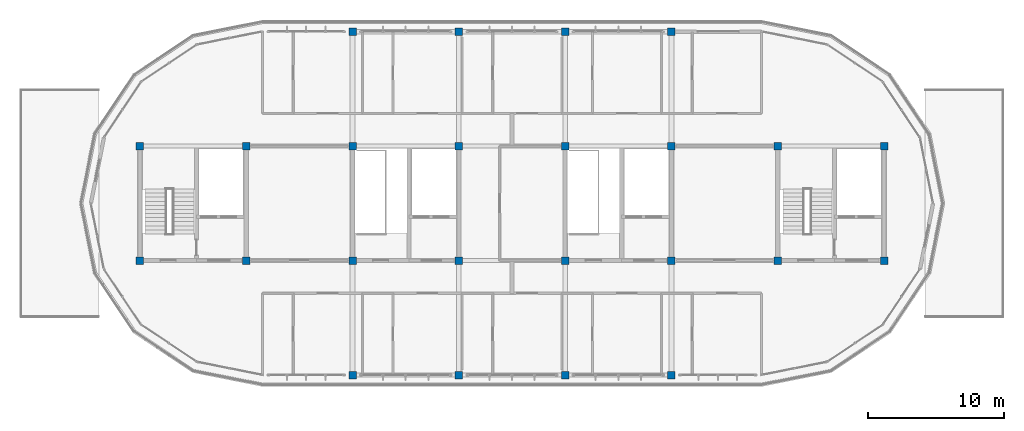
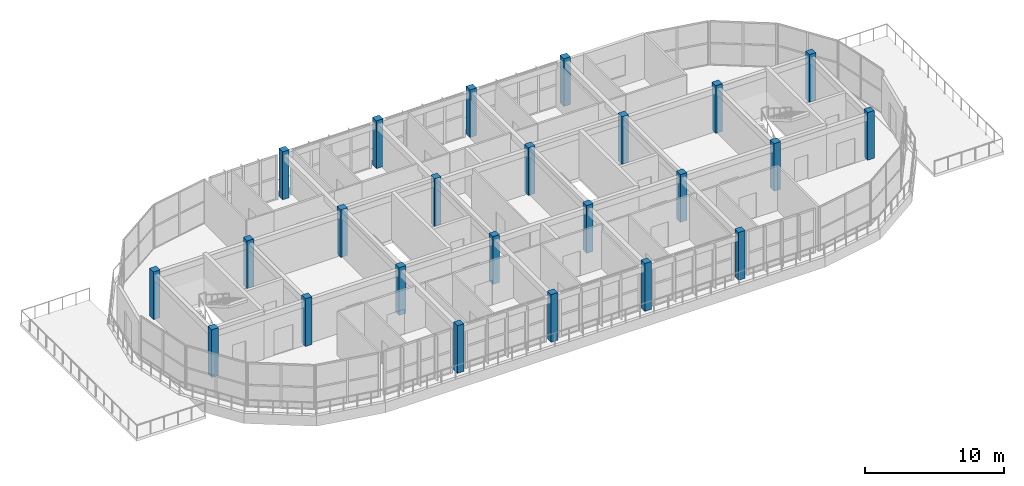
# One storey, part 1 of 33: 24 columns.
"""IFC4 building model written with IfcOpenShell, lengths in metres."""

from ifc_helpers import new_model, si_unit, direction, frame, origin, origin_2d, place, context, subcontext, project, spatial, rectangle, extrude, material, material_profile, profile_set, type_object, element, save


model = new_model("IFC4")

# Units and contexts
model_context = context("Model", 3, precision=1e-05, world=origin(), true_north=direction((0.0, 1.0)))
body_context = subcontext(model_context, "Body", "Model", "MODEL_VIEW")
ifc_project = project(units=[si_unit("LENGTHUNIT", "METRE"), si_unit("AREAUNIT", "SQUARE_METRE"), si_unit("VOLUMEUNIT", "CUBIC_METRE"), si_unit("PLANEANGLEUNIT", "RADIAN"), si_unit("MASSUNIT", "GRAM", prefix="KILO")], contexts=[model_context])

# Site, building, storey
site_placement = place(None, origin())
site = spatial("IfcSite", under=ifc_project, at=site_placement, CompositionType="ELEMENT")
building_placement = place(site_placement, origin())
building = spatial("IfcBuilding", under=site, at=building_placement, Name="Zizhar Promenade General Hospital", CompositionType="ELEMENT")
storey_placement = place(building_placement, frame((0.0, 0.0, 39.0)))
storey = spatial("IfcBuildingStorey", under=building, at=storey_placement, Name="L09", CompositionType="ELEMENT", Elevation=39.0)

# Columns
ifc_material = material(Name="Concrete C40/50", Category="concrete")
ifc_material_profile = material_profile(ifc_material, rectangle(XDim=0.550048828125, YDim=0.550048828125, at=origin_2d()))
ifc_profile_set = profile_set([ifc_material_profile], Name="Concrete C40/50")
column_type = type_object("IfcColumnType", Name="COL-RC-550", PredefinedType="COLUMN", material=ifc_profile_set)
for number, where, z_axis, x_axis, name in (
    (1, (46.800048828125, 8.39990234375, 0.0), (0.0, 0.0, 1.0), (1.0, 0.0, 0.0), "Column 7-B (L09)"),
    (2, (46.800048828125, 16.800048828125, 0.0), (0.0, 0.0, 1.0), (1.0, 0.0, 0.0), "Column 7-C (L09)"),
    (3, (54.60009765625, 8.39990234375, 0.0), (0.0, 0.0, 1.0), (1.0, 0.0, 0.0), "Column 8-B (L09)"),
    (4, (54.60009765625, 16.800048828125, 0.0), (0.0, 0.0, 1.0), (1.0, 0.0, 0.0), "Column 8-C (L09)"),
    (5, (62.39990234375, 0.0, 0.0), (0.0, 0.0, 1.0), (1.0, 0.0, 0.0), "Column 9-A (L09)"),
    (6, (62.39990234375, 8.39990234375, 0.0), (0.0, 0.0, 1.0), (1.0, 0.0, 0.0), "Column 9-B (L09)"),
    (7, (62.39990234375, 16.800048828125, 0.0), (0.0, 0.0, 1.0), (1.0, 0.0, 0.0), "Column 9-C (L09)"),
    (8, (62.39990234375, 25.199951171875, 0.0), (0.0, 0.0, 1.0), (1.0, 0.0, 0.0), "Column 9-D (L09)"),
    (9, (70.199951171875, 0.0, 0.0), (0.0, 0.0, 1.0), (1.0, 0.0, 0.0), "Column 10-A (L09)"),
    (10, (70.199951171875, 8.39990234375, 0.0), (0.0, 0.0, 1.0), (1.0, 0.0, 0.0), "Column 10-B (L09)"),
    (11, (70.199951171875, 16.800048828125, 0.0), (0.0, 0.0, 1.0), (1.0, 0.0, 0.0), "Column 10-C (L09)"),
    (12, (70.199951171875, 25.199951171875, 0.0), (0.0, 0.0, 1.0), (1.0, 0.0, 0.0), "Column 10-D (L09)"),
    (13, (78.0, 0.0, 0.0), (0.0, 0.0, 1.0), (1.0, 0.0, 0.0), "Column 11-A (L09)"),
    (14, (78.0, 8.39990234375, 0.0), (0.0, 0.0, 1.0), (1.0, 0.0, 0.0), "Column 11-B (L09)"),
    (15, (78.0, 16.800048828125, 0.0), (0.0, 0.0, 1.0), (1.0, 0.0, 0.0), "Column 11-C (L09)"),
    (16, (78.0, 25.199951171875, 0.0), (0.0, 0.0, 1.0), (1.0, 0.0, 0.0), "Column 11-D (L09)"),
    (17, (85.800048828125, 0.0, 0.0), (0.0, 0.0, 1.0), (1.0, 0.0, 0.0), "Column 12-A (L09)"),
    (18, (85.800048828125, 8.39990234375, 0.0), (0.0, 0.0, 1.0), (1.0, 0.0, 0.0), "Column 12-B (L09)"),
    (19, (85.800048828125, 16.800048828125, 0.0), (0.0, 0.0, 1.0), (1.0, 0.0, 0.0), "Column 12-C (L09)"),
    (20, (85.800048828125, 25.199951171875, 0.0), (0.0, 0.0, 1.0), (1.0, 0.0, 0.0), "Column 12-D (L09)"),
    (21, (93.60009765625, 8.39990234375, 0.0), (0.0, 0.0, 1.0), (1.0, 0.0, 0.0), "Column 13-B (L09)"),
    (22, (93.60009765625, 16.800048828125, 0.0), (0.0, 0.0, 1.0), (1.0, 0.0, 0.0), "Column 13-C (L09)"),
    (23, (101.39990234375, 8.39990234375, 0.0), (0.0, 0.0, 1.0), (1.0, 0.0, 0.0), "Column 14-B (L09)"),
    (24, (101.39990234375, 16.800048828125, 0.0), (0.0, 0.0, 1.0), (1.0, 0.0, 0.0), "Column 14-C (L09)"),
):
    element("IfcColumn", number, at=place(storey_placement, frame(where, z_axis=z_axis, x_axis=x_axis)), inside=storey, type_object=column_type, Name=name, PredefinedType="COLUMN", context=body_context, shape_type="SweptSolid", body=[
        extrude(rectangle(XDim=0.550048828125, YDim=0.550048828125, at=origin_2d()), origin(), (0.0, 0.0, 1.0), 4.199951171875),
    ])

save(model, "model.ifc")
